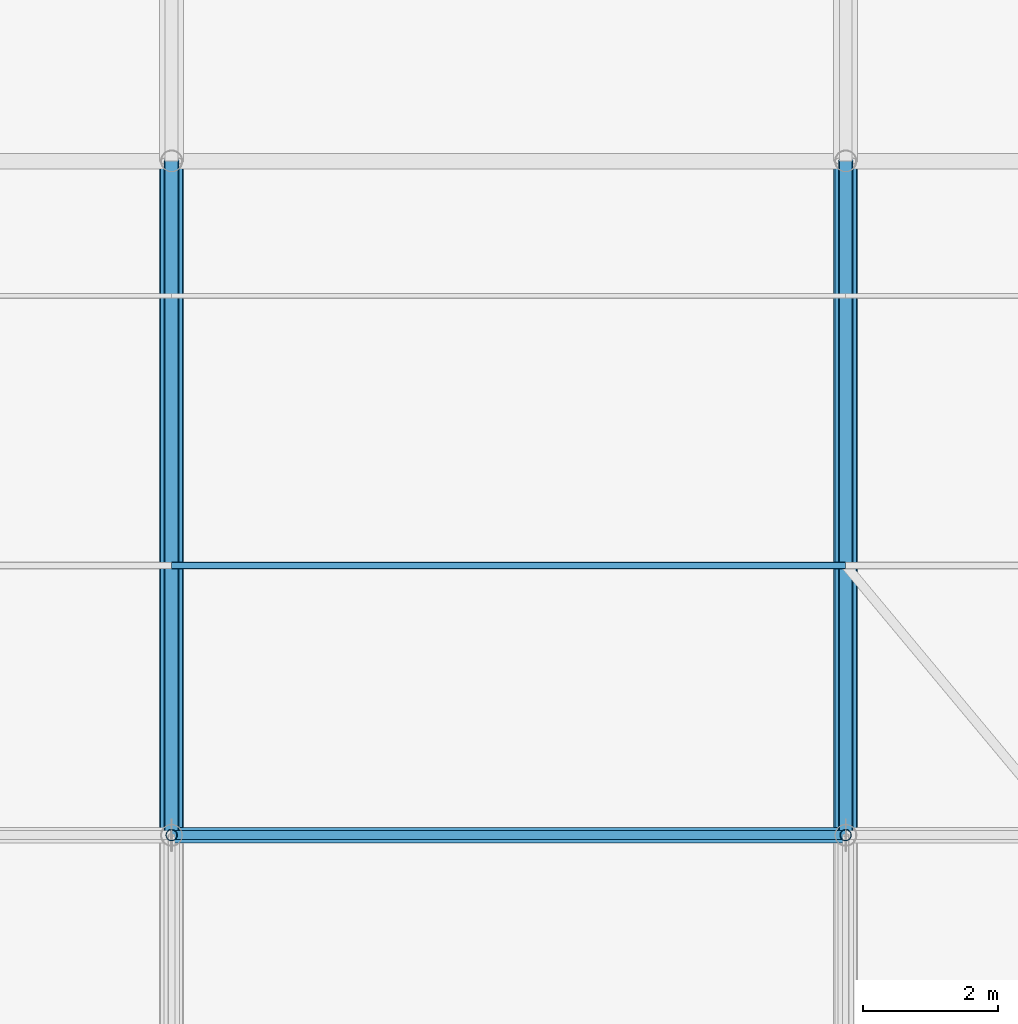
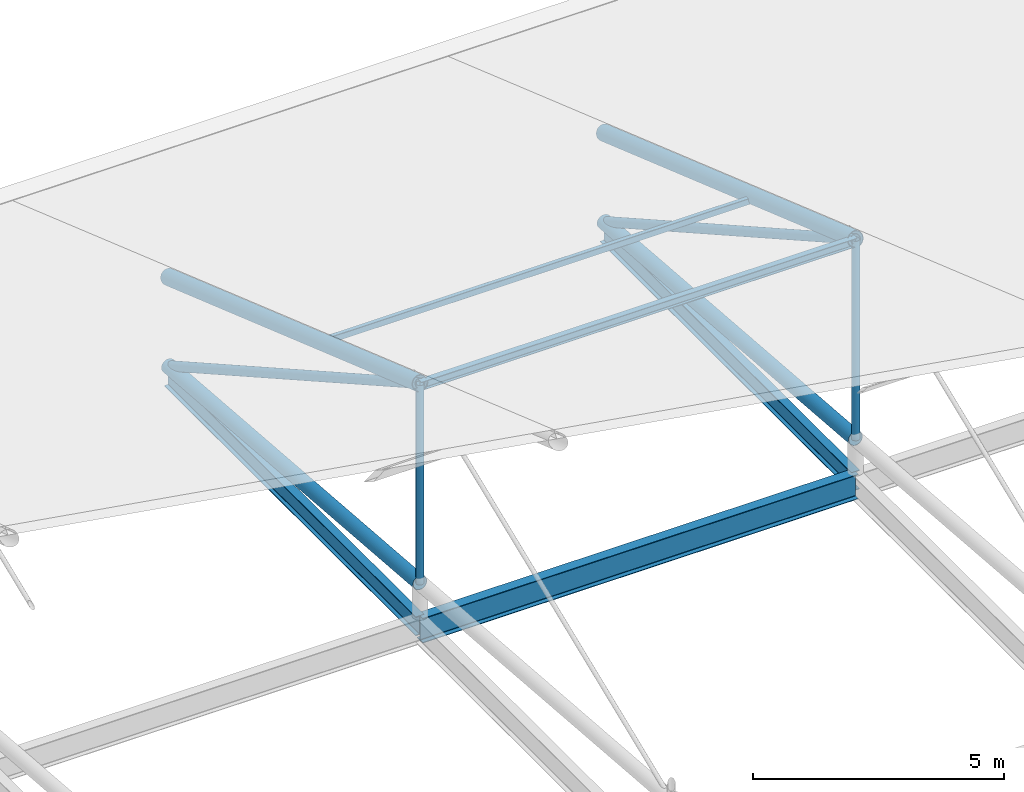
# One storey, part 46 of 93: 10 members, 3 beams.
"""IFC4 building model written with IfcOpenShell, lengths in metres."""

from ifc_helpers import new_model, si_unit, derived_unit, direction, frame, origin, origin_2d_with_axis, place, context, subcontext, project, spatial, hollow_rectangle, hollow_circle, i_section, extrude, material, material_profile, profile_set, type_object, element, save


model = new_model("IFC4")

# Units and contexts
model_context = context("Model", 3, precision=1e-05, world=origin(), true_north=direction((0.0, 1.0)))
body_context = subcontext(model_context, "Body", "Model", "MODEL_VIEW")
ifc_project = project(units=[si_unit("LENGTHUNIT", "METRE"), si_unit("AREAUNIT", "SQUARE_METRE"), si_unit("VOLUMEUNIT", "CUBIC_METRE"), si_unit("PLANEANGLEUNIT", "RADIAN"), si_unit("MASSUNIT", "GRAM", prefix="KILO"), derived_unit("THERMALTRANSMITTANCEUNIT", [(si_unit("POWERUNIT", "WATT"), 1), (si_unit("LENGTHUNIT", "METRE"), -2), (si_unit("THERMODYNAMICTEMPERATUREUNIT", "KELVIN"), -1)])], contexts=[model_context])

# Site, building, storey
site_placement = place(None, origin())
site = spatial("IfcSite", under=ifc_project, at=site_placement, CompositionType="ELEMENT")
building_placement = place(site_placement, origin())
building = spatial("IfcBuilding", under=site, at=building_placement, Name="Cinnabar Yard Market Hall", CompositionType="ELEMENT")
storey_placement = place(building_placement, frame((0.0, 0.0, 23.800048828125)))
storey = spatial("IfcBuildingStorey", under=building, at=storey_placement, Name="ROOF", CompositionType="ELEMENT", Elevation=23.800048828125)

# Beams
ifc_material_1 = material(Name="Steel Grade 300 (300 MPa)", Category="steel")
ifc_material_profile_1 = material_profile(ifc_material_1, i_section(OverallWidth=0.22802734375, OverallDepth=0.60205078125, WebThickness=0.010498046875, FlangeThickness=0.014892578125, FilletRadius=0.013916015625, at=origin_2d_with_axis()), Name="610UB101")
ifc_profile_set_1 = profile_set([ifc_material_profile_1], Name="Steel Grade 300 (300 MPa)")
beam_type_1 = type_object("IfcBeamType", Name="BM-B02", PredefinedType="BEAM", material=ifc_profile_set_1)
beam_placement = place(storey_placement, frame((126.0, 64.0, -9.700927734375), z_axis=(1.0, 0.0, 0.0), x_axis=(0.0, 1.0, 0.0)))
element("IfcBeam", 1, at=beam_placement, inside=storey, type_object=beam_type_1, Name="Hall Longitudinal Tie Girder 00409", PredefinedType="BEAM", context=body_context, shape_type="SweptSolid", body=[
    extrude(i_section(OverallWidth=0.22802734375, OverallDepth=0.60205078125, WebThickness=0.010498046875, FlangeThickness=0.014892578125, FilletRadius=0.013916015625, at=origin_2d_with_axis()), origin(), (0.0, 0.0, 1.0), 10.0),
])
ifc_material_profile_2 = material_profile(ifc_material_1, i_section(OverallWidth=0.19091796875, OverallDepth=0.46044921875, WebThickness=0.010009765625, FlangeThickness=0.01611328125, FilletRadius=0.011474609375, at=origin_2d_with_axis()), Name="460UB82.1")
ifc_profile_set_2 = profile_set([ifc_material_profile_2], Name="Steel Grade 300 (300 MPa)")
beam_type_2 = type_object("IfcBeamType", Name="BM-B04", PredefinedType="BEAM", material=ifc_profile_set_2)
for number, where, z_axis, x_axis, name in (
    (2, (126.0, 64.0, -9.630126953125), (0.0, 1.0, 0.0), (-1.0, 0.0, 0.0), "North Chhajja Backspan Girder 00538"),
    (3, (136.0, 64.0, -9.630126953125), (0.0, 1.0, 0.0), (-1.0, 0.0, 0.0), "North Chhajja Backspan Girder 00542"),
):
    element("IfcBeam", number, at=place(storey_placement, frame(where, z_axis=z_axis, x_axis=x_axis)), inside=storey, type_object=beam_type_2, Name=name, PredefinedType="BEAM", context=body_context, shape_type="SweptSolid", body=[
        extrude(i_section(OverallWidth=0.19091796875, OverallDepth=0.46044921875, WebThickness=0.010009765625, FlangeThickness=0.01611328125, FilletRadius=0.011474609375, at=origin_2d_with_axis()), origin(), (0.0, 0.0, 1.0), 10.0),
    ])

# Members
ifc_material_2 = material(Name="Cold-formed steel C350L0", Category="steel")
ifc_material_profile_3 = material_profile(ifc_material_2, hollow_circle(Radius=0.161865234375, WallThickness=0.009521484375, at=origin_2d_with_axis()), Name="323.9x9.5CHS")
ifc_profile_set_3 = profile_set([ifc_material_profile_3], Name="Cold-formed steel C350L0")
member_type_1 = type_object("IfcMemberType", Name="MB-BC01", PredefinedType="CHORD", material=ifc_profile_set_3)
for number, where, z_axis, x_axis, name in (
    (4, (126.0, 64.0, -8.60009765625), (0.0, 0.99681489162, -0.07975005859), (-1.0, 0.0, 0.0), "Hall Truss 126 Bottom Chord 6"),
    (5, (136.0, 64.0, -8.60009765625), (0.0, 0.99681489162, -0.07975005859), (-1.0, 0.0, 0.0), "Hall Truss 136 Bottom Chord 6"),
):
    element("IfcMember", number, at=place(storey_placement, frame(where, z_axis=z_axis, x_axis=x_axis)), inside=storey, type_object=member_type_1, Name=name, PredefinedType="CHORD", context=body_context, shape_type="SweptSolid", body=[
        extrude(hollow_circle(Radius=0.161865234375, WallThickness=0.009521484375, at=origin_2d_with_axis()), origin(), (0.0, 0.0, 1.0), 10.031982421875),
    ])
ifc_material_profile_4 = material_profile(ifc_material_2, hollow_circle(Radius=0.109619140625, WallThickness=0.00830078125, at=origin_2d_with_axis()), Name="219.1x8.2CHS")
ifc_profile_set_4 = profile_set([ifc_material_profile_4], Name="Cold-formed steel C350L0")
member_type_2 = type_object("IfcMemberType", Name="MB-DG01", PredefinedType="BRACE", material=ifc_profile_set_4)
for number, where, z_axis, x_axis, name in (
    (6, (126.0, 64.0, -3.76123046875), (0.0, 0.871057093215, -0.491181779345), (-1.0, 0.0, 0.0), "Hall Truss 126 Diagonal 6"),
    (7, (136.0, 64.0, -3.76123046875), (0.0, 0.871057093215, -0.491181779345), (-1.0, 0.0, 0.0), "Hall Truss 136 Diagonal 6"),
):
    element("IfcMember", number, at=place(storey_placement, frame(where, z_axis=z_axis, x_axis=x_axis)), inside=storey, type_object=member_type_2, Name=name, PredefinedType="BRACE", context=body_context, shape_type="SweptSolid", body=[
        extrude(hollow_circle(Radius=0.109619140625, WallThickness=0.00830078125, at=origin_2d_with_axis()), origin(), (0.0, 0.0, 1.0), 11.480224609375),
    ])
ifc_material_profile_5 = material_profile(ifc_material_1, i_section(OverallWidth=0.134033203125, OverallDepth=0.20703125, WebThickness=0.00634765625, FlangeThickness=0.009521484375, FilletRadius=0.0087890625, at=origin_2d_with_axis()), Name="200UB29.8")
ifc_profile_set_5 = profile_set([ifc_material_profile_5], Name="Steel Grade 300 (300 MPa)")
member_type_3 = type_object("IfcMemberType", Name="MB-PU02", PredefinedType="PURLIN", material=ifc_profile_set_5)
member_1_placement = place(storey_placement, frame((126.0, 64.0, -3.80126953125), z_axis=(1.0, 0.0, 0.0), x_axis=(0.0, 1.0, 0.0)))
element("IfcMember", 8, at=member_1_placement, inside=storey, type_object=member_type_3, Name="Hall Roof Purlin Y64 X126", PredefinedType="PURLIN", context=body_context, shape_type="SweptSolid", body=[
    extrude(i_section(OverallWidth=0.134033203125, OverallDepth=0.20703125, WebThickness=0.00634765625, FlangeThickness=0.009521484375, FilletRadius=0.0087890625, at=origin_2d_with_axis()), origin(), (0.0, 0.0, 1.0), 10.0),
])
ifc_material_profile_6 = material_profile(ifc_material_2, hollow_rectangle(XDim=0.10009765625, YDim=0.14990234375, WallThickness=0.0048828125, InnerFilletRadius=0.0048828125, OuterFilletRadius=0.010009765625, at=origin_2d_with_axis()), Name="150x100x5.0RHS")
ifc_profile_set_6 = profile_set([ifc_material_profile_6], Name="Cold-formed steel C350L0")
member_type_4 = type_object("IfcMemberType", Name="MB-PU03", PredefinedType="PURLIN", material=ifc_profile_set_6)
member_2_placement = place(storey_placement, frame((126.0, 68.0, -5.193603515625), z_axis=(1.0, 0.0, 0.0), x_axis=(0.0, 1.0, 0.0)))
element("IfcMember", 9, at=member_2_placement, inside=storey, type_object=member_type_4, Name="Hall Roof Purlin Y68 X126", PredefinedType="PURLIN", context=body_context, shape_type="SweptSolid", body=[
    extrude(hollow_rectangle(XDim=0.10009765625, YDim=0.14990234375, WallThickness=0.0048828125, InnerFilletRadius=0.0048828125, OuterFilletRadius=0.010009765625, at=origin_2d_with_axis()), origin(), (0.0, 0.0, 1.0), 10.0),
])
ifc_material_profile_7 = material_profile(ifc_material_2, hollow_circle(Radius=0.177734375, WallThickness=0.0126953125, at=origin_2d_with_axis()), Name="355.6x12.7CHS")
ifc_profile_set_7 = profile_set([ifc_material_profile_7], Name="Cold-formed steel C350L0")
member_type_5 = type_object("IfcMemberType", Name="MB-TC01", PredefinedType="CHORD", material=ifc_profile_set_7)
for number, where, z_axis, x_axis, name in (
    (10, (126.0, 64.0, -3.76123046875), (0.0, 0.944424919483, -0.328727199147), (-1.0, 0.0, 0.0), "Hall Truss 126 Top Chord 6"),
    (11, (136.0, 64.0, -3.76123046875), (0.0, 0.944424919483, -0.328727199147), (-1.0, 0.0, 0.0), "Hall Truss 136 Top Chord 6"),
):
    element("IfcMember", number, at=place(storey_placement, frame(where, z_axis=z_axis, x_axis=x_axis)), inside=storey, type_object=member_type_5, Name=name, PredefinedType="CHORD", context=body_context, shape_type="SweptSolid", body=[
        extrude(hollow_circle(Radius=0.177734375, WallThickness=0.0126953125, at=origin_2d_with_axis()), origin(), (0.0, 0.0, 1.0), 10.58837890625),
    ])
ifc_material_profile_8 = material_profile(ifc_material_2, hollow_circle(Radius=0.084228515625, WallThickness=0.00634765625, at=origin_2d_with_axis()), Name="168.3x6.4CHS")
ifc_profile_set_8 = profile_set([ifc_material_profile_8], Name="Cold-formed steel C350L0")
member_type_6 = type_object("IfcMemberType", Name="MB-WB01", PredefinedType="STRUT", material=ifc_profile_set_8)
for number, where, z_axis, x_axis, name in (
    (12, (126.0, 64.0, -8.60009765625), (0.0, 0.0, 1.0), (1.0, 0.0, 0.0), "Hall Truss 126 Post 5"),
    (13, (136.0, 64.0, -8.60009765625), (0.0, 0.0, 1.0), (1.0, 0.0, 0.0), "Hall Truss 136 Post 5"),
):
    element("IfcMember", number, at=place(storey_placement, frame(where, z_axis=z_axis, x_axis=x_axis)), inside=storey, type_object=member_type_6, Name=name, PredefinedType="STRUT", context=body_context, shape_type="SweptSolid", body=[
        extrude(hollow_circle(Radius=0.084228515625, WallThickness=0.00634765625, at=origin_2d_with_axis()), origin(), (0.0, 0.0, 1.0), 4.8388671875),
    ])

save(model, "model.ifc")
